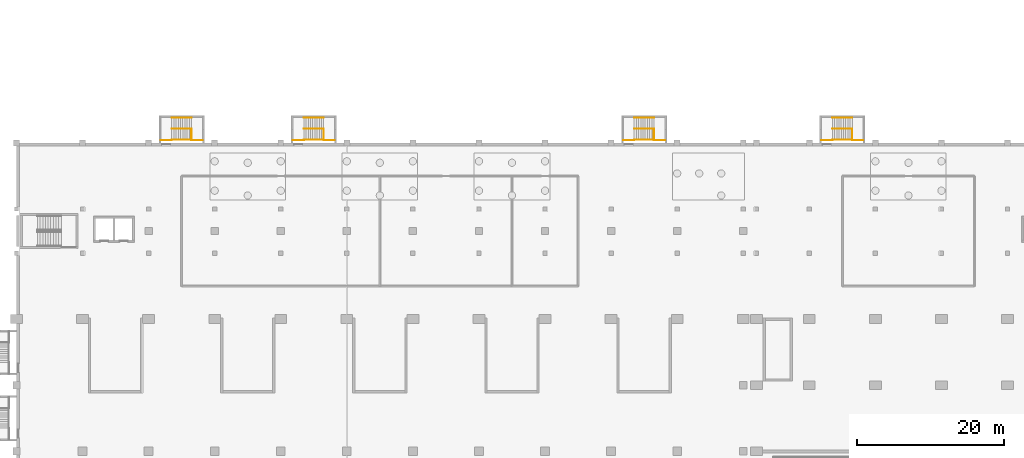
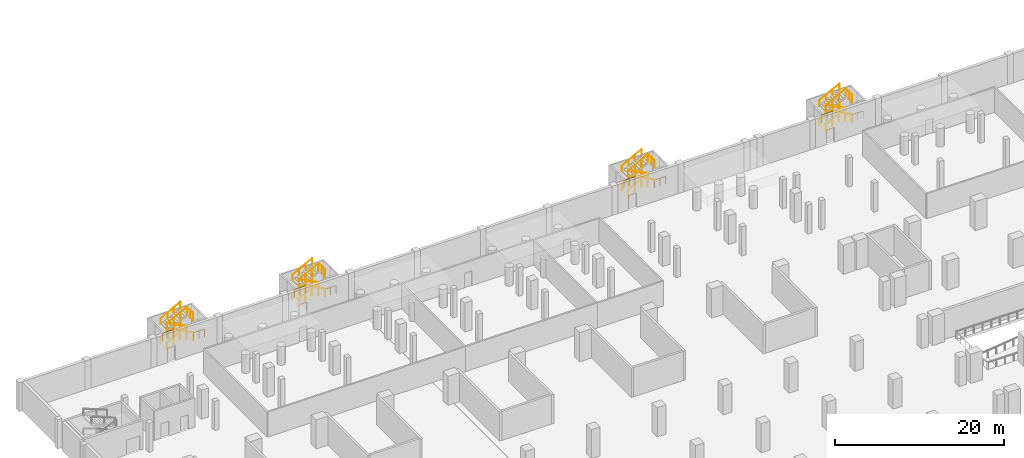
# One storey, part 27 of 27: 36 railings.
"""IFC4 building model written with IfcOpenShell, lengths in metres."""

from ifc_helpers import new_model, si_unit, direction, frame, origin, origin_2d, place, context, subcontext, project, spatial, circle, extrude, material, type_object, element, save


model = new_model("IFC4")

# Units and contexts
model_context = context("Model", 3, precision=1e-05, world=origin(), true_north=direction((0.0, 1.0)))
body_context = subcontext(model_context, "Body", "Model", "MODEL_VIEW")
ifc_project = project(units=[si_unit("LENGTHUNIT", "METRE"), si_unit("AREAUNIT", "SQUARE_METRE"), si_unit("VOLUMEUNIT", "CUBIC_METRE"), si_unit("PLANEANGLEUNIT", "RADIAN"), si_unit("MASSUNIT", "GRAM", prefix="KILO")], contexts=[model_context])

# Site, building, storey
site_placement = place(None, origin())
site = spatial("IfcSite", under=ifc_project, at=site_placement, CompositionType="ELEMENT")
building_placement = place(site_placement, origin())
building = spatial("IfcBuilding", under=site, at=building_placement, Name="Aravalli Gate Trade Fair Centre", CompositionType="ELEMENT")
storey_placement = place(building_placement, frame((0.0, 0.0, -4.199951171875)))
storey = spatial("IfcBuildingStorey", under=building, at=storey_placement, Name="B1", CompositionType="ELEMENT", Elevation=-4.199951171875)

# Railings
ifc_material = material(Name="Steel E350", Category="steel")
railing_type_1 = type_object("IfcRailingType", Name="Basement stair guard 1100", PredefinedType="GUARDRAIL", material=ifc_material)
railing_1_placement = place(storey_placement, frame((27.14990234375, 134.929931640625, 0.0)))
element("IfcRailing", 1, at=railing_1_placement, inside=storey, type_object=railing_type_1, Name="Basement stair N1 guard A B1", PredefinedType="GUARDRAIL", context=body_context, shape_type="SweptSolid", body=[
    extrude(circle(Radius=0.02392578125, at=origin_2d()), frame((0.0, 0.0, 1.076171875), z_axis=(0.887781257544, 0.0, 0.460265617609), x_axis=(0.0, 1.0, 0.0)), (0.0, 0.0, 1.0), 3.04150390625),
    extrude(circle(Radius=0.02099609375, at=origin_2d()), origin(), (0.0, 0.0, 1.0), 1.052001953125),
    extrude(circle(Radius=0.02099609375, at=origin_2d()), frame((0.900146484375, 0.0, 0.466552734375)), (0.0, 0.0, 1.0), 1.052001953125),
    extrude(circle(Radius=0.02099609375, at=origin_2d()), frame((1.800048828125, 0.0, 0.933349609375)), (0.0, 0.0, 1.0), 1.052001953125),
    extrude(circle(Radius=0.02099609375, at=origin_2d()), frame((2.7001953125, 0.0, 1.39990234375)), (0.0, 0.0, 1.0), 1.052001953125),
])
railing_2_placement = place(storey_placement, frame((29.85009765625, 134.929931640625, 1.39990234375)))
element("IfcRailing", 2, at=railing_2_placement, inside=storey, type_object=railing_type_1, Name="Basement stair N1 guard B B1", PredefinedType="GUARDRAIL", context=body_context, shape_type="SweptSolid", body=[
    extrude(circle(Radius=0.02392578125, at=origin_2d()), frame((0.0, 0.0, 1.076171875), z_axis=(-0.887748457143, 0.0, 0.460328878998), x_axis=(0.0, -1.0, 0.0)), (0.0, 0.0, 1.0), 3.04150390625),
    extrude(circle(Radius=0.02099609375, at=origin_2d()), origin(), (0.0, 0.0, 1.0), 1.052001953125),
    extrude(circle(Radius=0.02099609375, at=origin_2d()), frame((-0.900146484375, 0.0, 0.466796875)), (0.0, 0.0, 1.0), 1.052001953125),
    extrude(circle(Radius=0.02099609375, at=origin_2d()), frame((-1.800048828125, 0.0, 0.933349609375)), (0.0, 0.0, 1.0), 1.052001953125),
    extrude(circle(Radius=0.02099609375, at=origin_2d()), frame((-2.7001953125, 0.0, 1.400146484375)), (0.0, 0.0, 1.0), 1.052001953125),
])
railing_3_placement = place(storey_placement, frame((27.14990234375, 134.929931640625, 2.800048828125)))
element("IfcRailing", 3, at=railing_3_placement, inside=storey, type_object=railing_type_1, Name="Basement stair N1 guard C B1", PredefinedType="GUARDRAIL", context=body_context, shape_type="SweptSolid", body=[
    extrude(circle(Radius=0.02392578125, at=origin_2d()), frame((0.0, 0.0, 1.076171875), z_axis=(0.887781257544, 0.0, 0.460265617609), x_axis=(0.0, 1.0, 0.0)), (0.0, 0.0, 1.0), 3.04150390625),
    extrude(circle(Radius=0.02099609375, at=origin_2d()), origin(), (0.0, 0.0, 1.0), 1.052001953125),
    extrude(circle(Radius=0.02099609375, at=origin_2d()), frame((0.900146484375, 0.0, 0.466552734375)), (0.0, 0.0, 1.0), 1.052001953125),
    extrude(circle(Radius=0.02099609375, at=origin_2d()), frame((1.800048828125, 0.0, 0.933349609375)), (0.0, 0.0, 1.0), 1.052001953125),
    extrude(circle(Radius=0.02099609375, at=origin_2d()), frame((2.7001953125, 0.0, 1.39990234375)), (0.0, 0.0, 1.0), 1.052001953125),
])
railing_4_placement = place(storey_placement, frame((29.85009765625, 133.429931640625, 1.39990234375)))
element("IfcRailing", 4, at=railing_4_placement, inside=storey, type_object=railing_type_1, Name="Basement stair N1 guard B B1", PredefinedType="GUARDRAIL", context=body_context, shape_type="SweptSolid", body=[
    extrude(circle(Radius=0.02392578125, at=origin_2d()), frame((0.0, 0.0, 1.076171875), z_axis=(-0.887748457143, 0.0, 0.460328878998), x_axis=(0.0, -1.0, 0.0)), (0.0, 0.0, 1.0), 3.04150390625),
    extrude(circle(Radius=0.02099609375, at=origin_2d()), origin(), (0.0, 0.0, 1.0), 1.052001953125),
    extrude(circle(Radius=0.02099609375, at=origin_2d()), frame((-0.900146484375, 0.0, 0.466796875)), (0.0, 0.0, 1.0), 1.052001953125),
    extrude(circle(Radius=0.02099609375, at=origin_2d()), frame((-1.800048828125, 0.0, 0.933349609375)), (0.0, 0.0, 1.0), 1.052001953125),
    extrude(circle(Radius=0.02099609375, at=origin_2d()), frame((-2.7001953125, 0.0, 1.400146484375)), (0.0, 0.0, 1.0), 1.052001953125),
])
for number, where, name in (
    (5, (29.85009765625, 133.3798828125, 1.39990234375), "Basement stair N1 landing edge guard 1 B1"),
    (6, (25.64990234375, 133.3798828125, 2.800048828125), "Basement stair N1 landing edge guard 2 B1"),
):
    element("IfcRailing", number, at=place(storey_placement, frame(where)), inside=storey, type_object=railing_type_1, Name=name, PredefinedType="GUARDRAIL", context=body_context, shape_type="SweptSolid", body=[
        extrude(circle(Radius=0.02392578125, at=origin_2d()), frame((0.0, 0.0, 1.076171875), z_axis=(1.0, 0.0, 0.0), x_axis=(0.0, 1.0, 0.0)), (0.0, 0.0, 1.0), 1.5),
        extrude(circle(Radius=0.02099609375, at=origin_2d()), origin(), (0.0, 0.0, 1.0), 1.052001953125),
        extrude(circle(Radius=0.02099609375, at=origin_2d()), frame((0.75, 0.0, 0.0)), (0.0, 0.0, 1.0), 1.052001953125),
        extrude(circle(Radius=0.02099609375, at=origin_2d()), frame((1.5, 0.0, 0.0)), (0.0, 0.0, 1.0), 1.052001953125),
    ])
railing_5_placement = place(storey_placement, frame((29.85009765625, 133.429931640625, 4.199951171875)))
element("IfcRailing", 7, at=railing_5_placement, inside=storey, type_object=railing_type_1, Name="Basement stair N1 well guard B1", PredefinedType="GUARDRAIL", context=body_context, shape_type="SweptSolid", body=[
    extrude(circle(Radius=0.02392578125, at=origin_2d()), frame((0.0, 0.0, 1.076171875), z_axis=(0.0, 1.0, 0.0), x_axis=(-1.0, 0.0, 0.0)), (0.0, 0.0, 1.0), 1.5),
    extrude(circle(Radius=0.02099609375, at=origin_2d()), origin(), (0.0, 0.0, 1.0), 1.052001953125),
    extrude(circle(Radius=0.02099609375, at=origin_2d()), frame((0.0, 0.75, 0.0)), (0.0, 0.0, 1.0), 1.052001953125),
    extrude(circle(Radius=0.02099609375, at=origin_2d()), frame((0.0, 1.5, 0.0)), (0.0, 0.0, 1.0), 1.052001953125),
])
railing_6_placement = place(storey_placement, frame((45.14990234375, 134.929931640625, 0.0)))
element("IfcRailing", 8, at=railing_6_placement, inside=storey, type_object=railing_type_1, Name="Basement stair N2 guard A B1", PredefinedType="GUARDRAIL", context=body_context, shape_type="SweptSolid", body=[
    extrude(circle(Radius=0.02392578125, at=origin_2d()), frame((0.0, 0.0, 1.076171875), z_axis=(0.887781257544, 0.0, 0.460265617609), x_axis=(0.0, 1.0, 0.0)), (0.0, 0.0, 1.0), 3.04150390625),
    extrude(circle(Radius=0.02099609375, at=origin_2d()), origin(), (0.0, 0.0, 1.0), 1.052001953125),
    extrude(circle(Radius=0.02099609375, at=origin_2d()), frame((0.900146484375, 0.0, 0.466552734375)), (0.0, 0.0, 1.0), 1.052001953125),
    extrude(circle(Radius=0.02099609375, at=origin_2d()), frame((1.800048828125, 0.0, 0.933349609375)), (0.0, 0.0, 1.0), 1.052001953125),
    extrude(circle(Radius=0.02099609375, at=origin_2d()), frame((2.7001953125, 0.0, 1.39990234375)), (0.0, 0.0, 1.0), 1.052001953125),
])
railing_7_placement = place(storey_placement, frame((47.85009765625, 134.929931640625, 1.39990234375)))
element("IfcRailing", 9, at=railing_7_placement, inside=storey, type_object=railing_type_1, Name="Basement stair N2 guard B B1", PredefinedType="GUARDRAIL", context=body_context, shape_type="SweptSolid", body=[
    extrude(circle(Radius=0.02392578125, at=origin_2d()), frame((0.0, 0.0, 1.076171875), z_axis=(-0.887748457143, 0.0, 0.460328878998), x_axis=(0.0, -1.0, 0.0)), (0.0, 0.0, 1.0), 3.04150390625),
    extrude(circle(Radius=0.02099609375, at=origin_2d()), origin(), (0.0, 0.0, 1.0), 1.052001953125),
    extrude(circle(Radius=0.02099609375, at=origin_2d()), frame((-0.900146484375, 0.0, 0.466796875)), (0.0, 0.0, 1.0), 1.052001953125),
    extrude(circle(Radius=0.02099609375, at=origin_2d()), frame((-1.800048828125, 0.0, 0.933349609375)), (0.0, 0.0, 1.0), 1.052001953125),
    extrude(circle(Radius=0.02099609375, at=origin_2d()), frame((-2.7001953125, 0.0, 1.400146484375)), (0.0, 0.0, 1.0), 1.052001953125),
])
railing_8_placement = place(storey_placement, frame((45.14990234375, 134.929931640625, 2.800048828125)))
element("IfcRailing", 10, at=railing_8_placement, inside=storey, type_object=railing_type_1, Name="Basement stair N2 guard C B1", PredefinedType="GUARDRAIL", context=body_context, shape_type="SweptSolid", body=[
    extrude(circle(Radius=0.02392578125, at=origin_2d()), frame((0.0, 0.0, 1.076171875), z_axis=(0.887781257544, 0.0, 0.460265617609), x_axis=(0.0, 1.0, 0.0)), (0.0, 0.0, 1.0), 3.04150390625),
    extrude(circle(Radius=0.02099609375, at=origin_2d()), origin(), (0.0, 0.0, 1.0), 1.052001953125),
    extrude(circle(Radius=0.02099609375, at=origin_2d()), frame((0.900146484375, 0.0, 0.466552734375)), (0.0, 0.0, 1.0), 1.052001953125),
    extrude(circle(Radius=0.02099609375, at=origin_2d()), frame((1.800048828125, 0.0, 0.933349609375)), (0.0, 0.0, 1.0), 1.052001953125),
    extrude(circle(Radius=0.02099609375, at=origin_2d()), frame((2.7001953125, 0.0, 1.39990234375)), (0.0, 0.0, 1.0), 1.052001953125),
])
railing_9_placement = place(storey_placement, frame((47.85009765625, 133.429931640625, 1.39990234375)))
element("IfcRailing", 11, at=railing_9_placement, inside=storey, type_object=railing_type_1, Name="Basement stair N2 guard B B1", PredefinedType="GUARDRAIL", context=body_context, shape_type="SweptSolid", body=[
    extrude(circle(Radius=0.02392578125, at=origin_2d()), frame((0.0, 0.0, 1.076171875), z_axis=(-0.887748457143, 0.0, 0.460328878998), x_axis=(0.0, -1.0, 0.0)), (0.0, 0.0, 1.0), 3.04150390625),
    extrude(circle(Radius=0.02099609375, at=origin_2d()), origin(), (0.0, 0.0, 1.0), 1.052001953125),
    extrude(circle(Radius=0.02099609375, at=origin_2d()), frame((-0.900146484375, 0.0, 0.466796875)), (0.0, 0.0, 1.0), 1.052001953125),
    extrude(circle(Radius=0.02099609375, at=origin_2d()), frame((-1.800048828125, 0.0, 0.933349609375)), (0.0, 0.0, 1.0), 1.052001953125),
    extrude(circle(Radius=0.02099609375, at=origin_2d()), frame((-2.7001953125, 0.0, 1.400146484375)), (0.0, 0.0, 1.0), 1.052001953125),
])
for number, where, name in (
    (12, (47.85009765625, 133.3798828125, 1.39990234375), "Basement stair N2 landing edge guard 1 B1"),
    (13, (43.64990234375, 133.3798828125, 2.800048828125), "Basement stair N2 landing edge guard 2 B1"),
):
    element("IfcRailing", number, at=place(storey_placement, frame(where)), inside=storey, type_object=railing_type_1, Name=name, PredefinedType="GUARDRAIL", context=body_context, shape_type="SweptSolid", body=[
        extrude(circle(Radius=0.02392578125, at=origin_2d()), frame((0.0, 0.0, 1.076171875), z_axis=(1.0, 0.0, 0.0), x_axis=(0.0, 1.0, 0.0)), (0.0, 0.0, 1.0), 1.5),
        extrude(circle(Radius=0.02099609375, at=origin_2d()), origin(), (0.0, 0.0, 1.0), 1.052001953125),
        extrude(circle(Radius=0.02099609375, at=origin_2d()), frame((0.75, 0.0, 0.0)), (0.0, 0.0, 1.0), 1.052001953125),
        extrude(circle(Radius=0.02099609375, at=origin_2d()), frame((1.5, 0.0, 0.0)), (0.0, 0.0, 1.0), 1.052001953125),
    ])
railing_10_placement = place(storey_placement, frame((47.85009765625, 133.429931640625, 4.199951171875)))
element("IfcRailing", 14, at=railing_10_placement, inside=storey, type_object=railing_type_1, Name="Basement stair N2 well guard B1", PredefinedType="GUARDRAIL", context=body_context, shape_type="SweptSolid", body=[
    extrude(circle(Radius=0.02392578125, at=origin_2d()), frame((0.0, 0.0, 1.076171875), z_axis=(0.0, 1.0, 0.0), x_axis=(-1.0, 0.0, 0.0)), (0.0, 0.0, 1.0), 1.5),
    extrude(circle(Radius=0.02099609375, at=origin_2d()), origin(), (0.0, 0.0, 1.0), 1.052001953125),
    extrude(circle(Radius=0.02099609375, at=origin_2d()), frame((0.0, 0.75, 0.0)), (0.0, 0.0, 1.0), 1.052001953125),
    extrude(circle(Radius=0.02099609375, at=origin_2d()), frame((0.0, 1.5, 0.0)), (0.0, 0.0, 1.0), 1.052001953125),
])
railing_11_placement = place(storey_placement, frame((90.14990234375, 134.929931640625, 0.0)))
element("IfcRailing", 15, at=railing_11_placement, inside=storey, type_object=railing_type_1, Name="Basement stair N3 guard A B1", PredefinedType="GUARDRAIL", context=body_context, shape_type="SweptSolid", body=[
    extrude(circle(Radius=0.02392578125, at=origin_2d()), frame((0.0, 0.0, 1.076171875), z_axis=(0.887781257544, 0.0, 0.460265617609), x_axis=(0.0, 1.0, 0.0)), (0.0, 0.0, 1.0), 3.04150390625),
    extrude(circle(Radius=0.02099609375, at=origin_2d()), origin(), (0.0, 0.0, 1.0), 1.052001953125),
    extrude(circle(Radius=0.02099609375, at=origin_2d()), frame((0.900146484375, 0.0, 0.466552734375)), (0.0, 0.0, 1.0), 1.052001953125),
    extrude(circle(Radius=0.02099609375, at=origin_2d()), frame((1.800048828125, 0.0, 0.933349609375)), (0.0, 0.0, 1.0), 1.052001953125),
    extrude(circle(Radius=0.02099609375, at=origin_2d()), frame((2.7001953125, 0.0, 1.39990234375)), (0.0, 0.0, 1.0), 1.052001953125),
])
railing_12_placement = place(storey_placement, frame((92.85009765625, 134.929931640625, 1.39990234375)))
element("IfcRailing", 16, at=railing_12_placement, inside=storey, type_object=railing_type_1, Name="Basement stair N3 guard B B1", PredefinedType="GUARDRAIL", context=body_context, shape_type="SweptSolid", body=[
    extrude(circle(Radius=0.02392578125, at=origin_2d()), frame((0.0, 0.0, 1.076171875), z_axis=(-0.887748457143, 0.0, 0.460328878998), x_axis=(0.0, -1.0, 0.0)), (0.0, 0.0, 1.0), 3.04150390625),
    extrude(circle(Radius=0.02099609375, at=origin_2d()), origin(), (0.0, 0.0, 1.0), 1.052001953125),
    extrude(circle(Radius=0.02099609375, at=origin_2d()), frame((-0.900146484375, 0.0, 0.466796875)), (0.0, 0.0, 1.0), 1.052001953125),
    extrude(circle(Radius=0.02099609375, at=origin_2d()), frame((-1.800048828125, 0.0, 0.933349609375)), (0.0, 0.0, 1.0), 1.052001953125),
    extrude(circle(Radius=0.02099609375, at=origin_2d()), frame((-2.7001953125, 0.0, 1.400146484375)), (0.0, 0.0, 1.0), 1.052001953125),
])
railing_13_placement = place(storey_placement, frame((90.14990234375, 134.929931640625, 2.800048828125)))
element("IfcRailing", 17, at=railing_13_placement, inside=storey, type_object=railing_type_1, Name="Basement stair N3 guard C B1", PredefinedType="GUARDRAIL", context=body_context, shape_type="SweptSolid", body=[
    extrude(circle(Radius=0.02392578125, at=origin_2d()), frame((0.0, 0.0, 1.076171875), z_axis=(0.887781257544, 0.0, 0.460265617609), x_axis=(0.0, 1.0, 0.0)), (0.0, 0.0, 1.0), 3.04150390625),
    extrude(circle(Radius=0.02099609375, at=origin_2d()), origin(), (0.0, 0.0, 1.0), 1.052001953125),
    extrude(circle(Radius=0.02099609375, at=origin_2d()), frame((0.900146484375, 0.0, 0.466552734375)), (0.0, 0.0, 1.0), 1.052001953125),
    extrude(circle(Radius=0.02099609375, at=origin_2d()), frame((1.800048828125, 0.0, 0.933349609375)), (0.0, 0.0, 1.0), 1.052001953125),
    extrude(circle(Radius=0.02099609375, at=origin_2d()), frame((2.7001953125, 0.0, 1.39990234375)), (0.0, 0.0, 1.0), 1.052001953125),
])
railing_14_placement = place(storey_placement, frame((92.85009765625, 133.429931640625, 1.39990234375)))
element("IfcRailing", 18, at=railing_14_placement, inside=storey, type_object=railing_type_1, Name="Basement stair N3 guard B B1", PredefinedType="GUARDRAIL", context=body_context, shape_type="SweptSolid", body=[
    extrude(circle(Radius=0.02392578125, at=origin_2d()), frame((0.0, 0.0, 1.076171875), z_axis=(-0.887748457143, 0.0, 0.460328878998), x_axis=(0.0, -1.0, 0.0)), (0.0, 0.0, 1.0), 3.04150390625),
    extrude(circle(Radius=0.02099609375, at=origin_2d()), origin(), (0.0, 0.0, 1.0), 1.052001953125),
    extrude(circle(Radius=0.02099609375, at=origin_2d()), frame((-0.900146484375, 0.0, 0.466796875)), (0.0, 0.0, 1.0), 1.052001953125),
    extrude(circle(Radius=0.02099609375, at=origin_2d()), frame((-1.800048828125, 0.0, 0.933349609375)), (0.0, 0.0, 1.0), 1.052001953125),
    extrude(circle(Radius=0.02099609375, at=origin_2d()), frame((-2.7001953125, 0.0, 1.400146484375)), (0.0, 0.0, 1.0), 1.052001953125),
])
for number, where, name in (
    (19, (92.85009765625, 133.3798828125, 1.39990234375), "Basement stair N3 landing edge guard 1 B1"),
    (20, (88.64990234375, 133.3798828125, 2.800048828125), "Basement stair N3 landing edge guard 2 B1"),
):
    element("IfcRailing", number, at=place(storey_placement, frame(where)), inside=storey, type_object=railing_type_1, Name=name, PredefinedType="GUARDRAIL", context=body_context, shape_type="SweptSolid", body=[
        extrude(circle(Radius=0.02392578125, at=origin_2d()), frame((0.0, 0.0, 1.076171875), z_axis=(1.0, 0.0, 0.0), x_axis=(0.0, 1.0, 0.0)), (0.0, 0.0, 1.0), 1.5),
        extrude(circle(Radius=0.02099609375, at=origin_2d()), origin(), (0.0, 0.0, 1.0), 1.052001953125),
        extrude(circle(Radius=0.02099609375, at=origin_2d()), frame((0.75, 0.0, 0.0)), (0.0, 0.0, 1.0), 1.052001953125),
        extrude(circle(Radius=0.02099609375, at=origin_2d()), frame((1.5, 0.0, 0.0)), (0.0, 0.0, 1.0), 1.052001953125),
    ])
railing_15_placement = place(storey_placement, frame((92.85009765625, 133.429931640625, 4.199951171875)))
element("IfcRailing", 21, at=railing_15_placement, inside=storey, type_object=railing_type_1, Name="Basement stair N3 well guard B1", PredefinedType="GUARDRAIL", context=body_context, shape_type="SweptSolid", body=[
    extrude(circle(Radius=0.02392578125, at=origin_2d()), frame((0.0, 0.0, 1.076171875), z_axis=(0.0, 1.0, 0.0), x_axis=(-1.0, 0.0, 0.0)), (0.0, 0.0, 1.0), 1.5),
    extrude(circle(Radius=0.02099609375, at=origin_2d()), origin(), (0.0, 0.0, 1.0), 1.052001953125),
    extrude(circle(Radius=0.02099609375, at=origin_2d()), frame((0.0, 0.75, 0.0)), (0.0, 0.0, 1.0), 1.052001953125),
    extrude(circle(Radius=0.02099609375, at=origin_2d()), frame((0.0, 1.5, 0.0)), (0.0, 0.0, 1.0), 1.052001953125),
])
railing_16_placement = place(storey_placement, frame((117.14990234375, 134.929931640625, 0.0)))
element("IfcRailing", 22, at=railing_16_placement, inside=storey, type_object=railing_type_1, Name="Basement stair N4 guard A B1", PredefinedType="GUARDRAIL", context=body_context, shape_type="SweptSolid", body=[
    extrude(circle(Radius=0.02392578125, at=origin_2d()), frame((0.0, 0.0, 1.076171875), z_axis=(0.887781257544, 0.0, 0.460265617609), x_axis=(0.0, 1.0, 0.0)), (0.0, 0.0, 1.0), 3.04150390625),
    extrude(circle(Radius=0.02099609375, at=origin_2d()), origin(), (0.0, 0.0, 1.0), 1.052001953125),
    extrude(circle(Radius=0.02099609375, at=origin_2d()), frame((0.900146484375, 0.0, 0.466552734375)), (0.0, 0.0, 1.0), 1.052001953125),
    extrude(circle(Radius=0.02099609375, at=origin_2d()), frame((1.800048828125, 0.0, 0.933349609375)), (0.0, 0.0, 1.0), 1.052001953125),
    extrude(circle(Radius=0.02099609375, at=origin_2d()), frame((2.7001953125, 0.0, 1.39990234375)), (0.0, 0.0, 1.0), 1.052001953125),
])
railing_17_placement = place(storey_placement, frame((119.85009765625, 134.929931640625, 1.39990234375)))
element("IfcRailing", 23, at=railing_17_placement, inside=storey, type_object=railing_type_1, Name="Basement stair N4 guard B B1", PredefinedType="GUARDRAIL", context=body_context, shape_type="SweptSolid", body=[
    extrude(circle(Radius=0.02392578125, at=origin_2d()), frame((0.0, 0.0, 1.076171875), z_axis=(-0.887748457143, 0.0, 0.460328878998), x_axis=(0.0, -1.0, 0.0)), (0.0, 0.0, 1.0), 3.04150390625),
    extrude(circle(Radius=0.02099609375, at=origin_2d()), origin(), (0.0, 0.0, 1.0), 1.052001953125),
    extrude(circle(Radius=0.02099609375, at=origin_2d()), frame((-0.900146484375, 0.0, 0.466796875)), (0.0, 0.0, 1.0), 1.052001953125),
    extrude(circle(Radius=0.02099609375, at=origin_2d()), frame((-1.800048828125, 0.0, 0.933349609375)), (0.0, 0.0, 1.0), 1.052001953125),
    extrude(circle(Radius=0.02099609375, at=origin_2d()), frame((-2.7001953125, 0.0, 1.400146484375)), (0.0, 0.0, 1.0), 1.052001953125),
])
railing_18_placement = place(storey_placement, frame((117.14990234375, 134.929931640625, 2.800048828125)))
element("IfcRailing", 24, at=railing_18_placement, inside=storey, type_object=railing_type_1, Name="Basement stair N4 guard C B1", PredefinedType="GUARDRAIL", context=body_context, shape_type="SweptSolid", body=[
    extrude(circle(Radius=0.02392578125, at=origin_2d()), frame((0.0, 0.0, 1.076171875), z_axis=(0.887781257544, 0.0, 0.460265617609), x_axis=(0.0, 1.0, 0.0)), (0.0, 0.0, 1.0), 3.04150390625),
    extrude(circle(Radius=0.02099609375, at=origin_2d()), origin(), (0.0, 0.0, 1.0), 1.052001953125),
    extrude(circle(Radius=0.02099609375, at=origin_2d()), frame((0.900146484375, 0.0, 0.466552734375)), (0.0, 0.0, 1.0), 1.052001953125),
    extrude(circle(Radius=0.02099609375, at=origin_2d()), frame((1.800048828125, 0.0, 0.933349609375)), (0.0, 0.0, 1.0), 1.052001953125),
    extrude(circle(Radius=0.02099609375, at=origin_2d()), frame((2.7001953125, 0.0, 1.39990234375)), (0.0, 0.0, 1.0), 1.052001953125),
])
railing_19_placement = place(storey_placement, frame((119.85009765625, 133.429931640625, 1.39990234375)))
element("IfcRailing", 25, at=railing_19_placement, inside=storey, type_object=railing_type_1, Name="Basement stair N4 guard B B1", PredefinedType="GUARDRAIL", context=body_context, shape_type="SweptSolid", body=[
    extrude(circle(Radius=0.02392578125, at=origin_2d()), frame((0.0, 0.0, 1.076171875), z_axis=(-0.887748457143, 0.0, 0.460328878998), x_axis=(0.0, -1.0, 0.0)), (0.0, 0.0, 1.0), 3.04150390625),
    extrude(circle(Radius=0.02099609375, at=origin_2d()), origin(), (0.0, 0.0, 1.0), 1.052001953125),
    extrude(circle(Radius=0.02099609375, at=origin_2d()), frame((-0.900146484375, 0.0, 0.466796875)), (0.0, 0.0, 1.0), 1.052001953125),
    extrude(circle(Radius=0.02099609375, at=origin_2d()), frame((-1.800048828125, 0.0, 0.933349609375)), (0.0, 0.0, 1.0), 1.052001953125),
    extrude(circle(Radius=0.02099609375, at=origin_2d()), frame((-2.7001953125, 0.0, 1.400146484375)), (0.0, 0.0, 1.0), 1.052001953125),
])
for number, where, name in (
    (26, (119.85009765625, 133.3798828125, 1.39990234375), "Basement stair N4 landing edge guard 1 B1"),
    (27, (115.64990234375, 133.3798828125, 2.800048828125), "Basement stair N4 landing edge guard 2 B1"),
):
    element("IfcRailing", number, at=place(storey_placement, frame(where)), inside=storey, type_object=railing_type_1, Name=name, PredefinedType="GUARDRAIL", context=body_context, shape_type="SweptSolid", body=[
        extrude(circle(Radius=0.02392578125, at=origin_2d()), frame((0.0, 0.0, 1.076171875), z_axis=(1.0, 0.0, 0.0), x_axis=(0.0, 1.0, 0.0)), (0.0, 0.0, 1.0), 1.5),
        extrude(circle(Radius=0.02099609375, at=origin_2d()), origin(), (0.0, 0.0, 1.0), 1.052001953125),
        extrude(circle(Radius=0.02099609375, at=origin_2d()), frame((0.75, 0.0, 0.0)), (0.0, 0.0, 1.0), 1.052001953125),
        extrude(circle(Radius=0.02099609375, at=origin_2d()), frame((1.5, 0.0, 0.0)), (0.0, 0.0, 1.0), 1.052001953125),
    ])
railing_20_placement = place(storey_placement, frame((119.85009765625, 133.429931640625, 4.199951171875)))
element("IfcRailing", 28, at=railing_20_placement, inside=storey, type_object=railing_type_1, Name="Basement stair N4 well guard B1", PredefinedType="GUARDRAIL", context=body_context, shape_type="SweptSolid", body=[
    extrude(circle(Radius=0.02392578125, at=origin_2d()), frame((0.0, 0.0, 1.076171875), z_axis=(0.0, 1.0, 0.0), x_axis=(-1.0, 0.0, 0.0)), (0.0, 0.0, 1.0), 1.5),
    extrude(circle(Radius=0.02099609375, at=origin_2d()), origin(), (0.0, 0.0, 1.0), 1.052001953125),
    extrude(circle(Radius=0.02099609375, at=origin_2d()), frame((0.0, 0.75, 0.0)), (0.0, 0.0, 1.0), 1.052001953125),
    extrude(circle(Radius=0.02099609375, at=origin_2d()), frame((0.0, 1.5, 0.0)), (0.0, 0.0, 1.0), 1.052001953125),
])
railing_type_2 = type_object("IfcRailingType", Name="Basement stair handrail 900", PredefinedType="HANDRAIL", material=ifc_material)
for number, where, name in (
    (29, (27.14990234375, 136.429931640625, 0.0), "Basement stair N1 handrail A B1"),
    (30, (27.14990234375, 136.429931640625, 2.800048828125), "Basement stair N1 handrail C B1"),
    (31, (45.14990234375, 136.429931640625, 0.0), "Basement stair N2 handrail A B1"),
    (32, (45.14990234375, 136.429931640625, 2.800048828125), "Basement stair N2 handrail C B1"),
    (33, (90.14990234375, 136.429931640625, 0.0), "Basement stair N3 handrail A B1"),
    (34, (90.14990234375, 136.429931640625, 2.800048828125), "Basement stair N3 handrail C B1"),
    (35, (117.14990234375, 136.429931640625, 0.0), "Basement stair N4 handrail A B1"),
    (36, (117.14990234375, 136.429931640625, 2.800048828125), "Basement stair N4 handrail C B1"),
):
    element("IfcRailing", number, at=place(storey_placement, frame(where)), inside=storey, type_object=railing_type_2, Name=name, PredefinedType="HANDRAIL", context=body_context, shape_type="SweptSolid", body=[
        extrude(circle(Radius=0.02392578125, at=origin_2d()), frame((0.0, 0.0, 0.8759765625), z_axis=(0.887781257544, 0.0, 0.460265617609), x_axis=(0.0, 1.0, 0.0)), (0.0, 0.0, 1.0), 3.04150390625),
        extrude(circle(Radius=0.02099609375, at=origin_2d()), origin(), (0.0, 0.0, 1.0), 0.851806640625),
        extrude(circle(Radius=0.02099609375, at=origin_2d()), frame((0.900146484375, 0.0, 0.466552734375)), (0.0, 0.0, 1.0), 0.851806640625),
        extrude(circle(Radius=0.02099609375, at=origin_2d()), frame((1.800048828125, 0.0, 0.933349609375)), (0.0, 0.0, 1.0), 0.851806640625),
        extrude(circle(Radius=0.02099609375, at=origin_2d()), frame((2.7001953125, 0.0, 1.39990234375)), (0.0, 0.0, 1.0), 0.851806640625),
    ])

save(model, "model.ifc")
